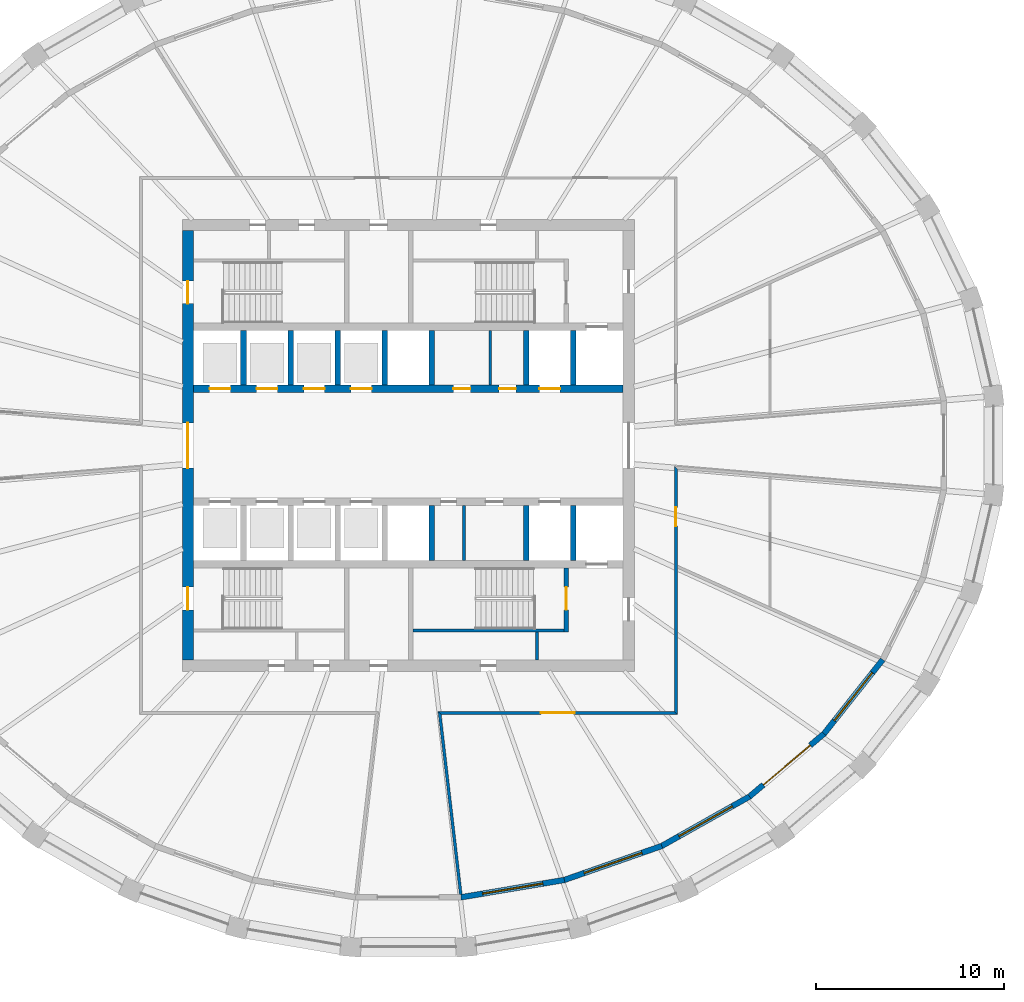
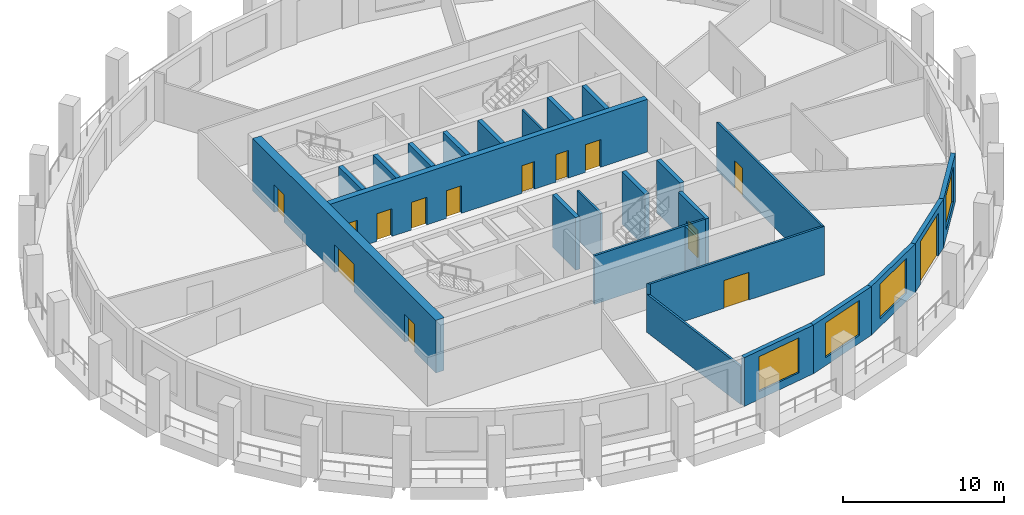
# One storey, part 4 of 10: 25 walls, 14 doors, 4 windows, 18 openings.
"""IFC4 building model written with IfcOpenShell, lengths in metres."""

from ifc_helpers import new_model, si_unit, direction, frame, frame_2d, origin, place, context, subcontext, project, spatial, polyline, rectangle, outline, extrude, material, layer, layer_set, type_object, element, fill, save


model = new_model("IFC4")

# Units and contexts
model_context = context("Model", 3, precision=1e-05, world=origin(), true_north=direction((0.0, 1.0)))
body_context = subcontext(model_context, "Body", "Model", "MODEL_VIEW")
ifc_project = project(units=[si_unit("LENGTHUNIT", "METRE"), si_unit("AREAUNIT", "SQUARE_METRE"), si_unit("VOLUMEUNIT", "CUBIC_METRE"), si_unit("PLANEANGLEUNIT", "RADIAN"), si_unit("MASSUNIT", "GRAM", prefix="KILO")], contexts=[model_context])

# Site, building, storey
site_placement = place(None, origin())
site = spatial("IfcSite", under=ifc_project, at=site_placement, CompositionType="ELEMENT")
building_placement = place(site_placement, origin())
building = spatial("IfcBuilding", under=site, at=building_placement, Name="Halqa Exchange Tower", CompositionType="ELEMENT")
storey_placement = place(building_placement, frame((0.0, 0.0, 238.89990234375)))
storey = spatial("IfcBuildingStorey", under=building, at=storey_placement, Name="L55", CompositionType="ELEMENT", Elevation=238.89990234375)

# Wall
ifc_material_1 = material(Name="Fire-rated gypsum board")
ifc_layer_1 = layer(ifc_material_1, 0.14990234375)
ifc_layer_set_1 = layer_set([ifc_layer_1], Name="Fire-rated gypsum board")
wall_type_1 = type_object("IfcWallType", Name="Fire partition EI 60 150", PredefinedType="PARTITIONING", material=ifc_layer_set_1)
wall_1_placement = place(storey_placement, frame((1.650146484375, -14.1162109375, 0.0), z_axis=(0.0, 0.0, 1.0), x_axis=(0.115927481877, -0.993257680034, 0.0)))
element("IfcWall", 1, at=wall_1_placement, inside=storey, type_object=wall_type_1, Name="L55-PWL-009", PredefinedType="PARTITIONING", context=body_context, shape_type="SweptSolid", body=[
    extrude(outline(polyline([(0.0, -0.074951171875), (1.95556640625, -0.074951171875), (3.9111328125, -0.074951171875), (5.86669921875, -0.074951171875), (7.822021484375, -0.074951171875), (9.777587890625, -0.074951171875), (9.7822265625, -0.035400390625), (9.7822265625, 0.074951171875), (7.859375, 0.074951171875), (5.936767578125, 0.074951171875), (4.013916015625, 0.074951171875), (2.09130859375, 0.074951171875), (0.16845703125, 0.074951171875), (0.08447265625, 0.0), (0.0, -0.074951171875)])), origin(), (0.0, 0.0, 1.0), 2.897216796875),
])

# Wall, opening, door
wall_2_placement = place(storey_placement, frame((14.27490234375, -14.199951171875, 0.0), z_axis=(0.0, 0.0, 1.0), x_axis=(-1.0, 0.0, 0.0)))
wall_2 = element("IfcWall", 2, at=wall_2_placement, inside=storey, type_object=wall_type_1, Name="L55-PWL-012", PredefinedType="PARTITIONING", context=body_context, shape_type="SweptSolid", body=[
    extrude(outline(polyline([(0.14990234375, -0.074951171875), (1.942626953125, -0.074951171875), (3.7353515625, -0.074951171875), (5.528076171875, -0.074951171875), (7.32080078125, -0.074951171875), (9.11376953125, -0.074951171875), (10.906494140625, -0.074951171875), (12.69921875, -0.074951171875), (12.53076171875, 0.074951171875), (10.74072265625, 0.074951171875), (8.950439453125, 0.074951171875), (7.160400390625, 0.074951171875), (5.370361328125, 0.074951171875), (3.580322265625, 0.074951171875), (1.7900390625, 0.074951171875), (0.0, 0.074951171875), (0.14990234375, -0.074951171875)])), origin(), (0.0, 0.0, 1.0), 3.7001953125),
])
opening_1_placement = place(wall_2_placement, frame((5.445068359375, 0.0, 0.0)))
opening_1 = element("IfcOpeningElement", 3, at=opening_1_placement, cuts=wall_2, Name="Opening 17-02", PredefinedType="OPENING", context=body_context, shape_type="SweptSolid", body=[
    extrude(rectangle(XDim=1.800048828125, YDim=2.10009765625, at=frame_2d((0.89990234375, 1.050048828125))), frame((0.0, 0.0869140625, 0.0), z_axis=(0.0, -1.0, 0.0), x_axis=(1.0, 0.0, 0.0)), (0.0, 0.0, 1.0), 0.173828125),
])
ifc_material_2 = material(Name="Steel fire door leaf", Category="steel")
door_type_1 = type_object("IfcDoorType", Name="Fire door FD30S double 1800 x 2100", OperationType="DOUBLE_DOOR_SINGLE_SWING", PredefinedType="DOOR", material=ifc_material_2)
door_1_placement = place(opening_1_placement, origin())
door_1 = element("IfcDoor", 4, at=door_1_placement, inside=storey, type_object=door_type_1, Name="L55-IDR-002", OperationType="DOUBLE_DOOR_SINGLE_SWING", OverallHeight=2.10009765625, OverallWidth=1.800048828125, PredefinedType="DOOR", context=body_context, shape_type="SweptSolid", body=[
    extrude(rectangle(XDim=1.800048828125, YDim=2.10009765625, at=frame_2d((0.89990234375, 1.050048828125))), frame((0.0, 0.02490234375, 0.0), z_axis=(0.0, -1.0, 0.0), x_axis=(1.0, 0.0, 0.0)), (0.0, 0.0, 1.0), 0.050048828125),
])
fill(opening_1, door_1)

wall_3_placement = place(storey_placement, frame((14.199951171875, -14.27490234375, 0.0), z_axis=(0.0, 0.0, 1.0), x_axis=(0.0, 1.0, 0.0)))
wall_3 = element("IfcWall", 5, at=wall_3_placement, inside=storey, type_object=wall_type_1, Name="L55-PWL-013", PredefinedType="PARTITIONING", context=body_context, shape_type="SweptSolid", body=[
    extrude(outline(polyline([(0.0, -0.074951171875), (1.859130859375, -0.074951171875), (3.71826171875, -0.074951171875), (5.5771484375, -0.074951171875), (7.436279296875, -0.074951171875), (9.29541015625, -0.074951171875), (11.154541015625, -0.074951171875), (13.013427734375, -0.074951171875), (13.17626953125, 0.074951171875), (11.3154296875, 0.074951171875), (9.45458984375, 0.074951171875), (7.593505859375, 0.074951171875), (5.732666015625, 0.074951171875), (3.871826171875, 0.074951171875), (2.0107421875, 0.074951171875), (0.14990234375, 0.074951171875), (0.0, -0.074951171875)])), origin(), (0.0, 0.0, 1.0), 3.7001953125),
])
opening_2_placement = place(wall_3_placement, frame((9.985107421875, 0.0, 0.0)))
opening_2 = element("IfcOpeningElement", 6, at=opening_2_placement, cuts=wall_3, Name="Opening 17-03", PredefinedType="OPENING", context=body_context, shape_type="SweptSolid", body=[
    extrude(rectangle(XDim=1.0, YDim=2.10009765625, at=frame_2d((0.5, 1.050048828125))), frame((0.0, 0.0869140625, 0.0), z_axis=(0.0, -1.0, 0.0), x_axis=(1.0, 0.0, 0.0)), (0.0, 0.0, 1.0), 0.173828125),
])
door_type_2 = type_object("IfcDoorType", Name="Fire door FD30S 1000 x 2100", OperationType="SINGLE_SWING_LEFT", PredefinedType="DOOR", material=ifc_material_2)
door_2_placement = place(opening_2_placement, frame((1.0, 0.0, 0.0), z_axis=(0.0, 0.0, 1.0), x_axis=(-1.0, 0.0, 0.0)))
door_2 = element("IfcDoor", 7, at=door_2_placement, inside=storey, type_object=door_type_2, Name="L55-IDR-003", OperationType="SINGLE_SWING_RIGHT", OverallHeight=2.10009765625, OverallWidth=1.0, PredefinedType="DOOR", context=body_context, shape_type="SweptSolid", body=[
    extrude(rectangle(XDim=1.0, YDim=2.10009765625, at=frame_2d((0.5, 1.050048828125))), frame((0.0, 0.02490234375, 0.0), z_axis=(0.0, -1.0, 0.0), x_axis=(1.0, 0.0, 0.0)), (0.0, 0.0, 1.0), 0.050048828125),
])
fill(opening_2, door_2)

# Walls
ifc_material_3 = material(Name="Gypsum board")
ifc_layer_2 = layer(ifc_material_3, 0.14990234375)
ifc_layer_set_2 = layer_set([ifc_layer_2], Name="Gypsum board")
wall_type_2 = type_object("IfcWallType", Name="Penthouse riser wall 150 gypsum", PredefinedType="PARTITIONING", material=ifc_layer_set_2)
wall_4_placement = place(storey_placement, frame((6.824951171875, -11.39990234375, 0.0), z_axis=(0.0, 0.0, 1.0), x_axis=(0.0, 1.0, 0.0)))
element("IfcWall", 8, at=wall_4_placement, inside=storey, type_object=wall_type_2, Name="Firefighting lobby west wall S", PredefinedType="PARTITIONING", context=body_context, shape_type="SweptSolid", body=[
    extrude(rectangle(XDim=1.5, YDim=0.14990234375, at=frame_2d((0.75, 0.0))), origin(), (0.0, 0.0, 1.0), 3.7001953125),
])
for number, where, z_axis, x_axis, name in (
    (9, (4.35009765625, 3.199951171875, 0.0), (0.0, 0.0, 1.0), (0.0, 1.0, 0.0), "Freed bay partition NE4.350"),
    (10, (2.949951171875, -6.10009765625, 0.0), (0.0, 0.0, 1.0), (0.0, 1.0, 0.0), "Freed bay partition SE2.950"),
):
    element("IfcWall", number, at=place(storey_placement, frame(where, z_axis=z_axis, x_axis=x_axis)), inside=storey, type_object=wall_type_2, Name=name, PredefinedType="PARTITIONING", context=body_context, shape_type="SweptSolid", body=[
        extrude(rectangle(XDim=2.900146484375, YDim=0.14990234375, at=frame_2d((1.4501953125, 0.0))), origin(), (0.0, 0.0, 1.0), 3.7001953125),
    ])
ifc_material_4 = material(Name="Concrete C60/75", Category="concrete")
ifc_layer_3 = layer(ifc_material_4, 0.300048828125)
ifc_layer_set_3 = layer_set([ifc_layer_3], Name="Concrete C60/75")
wall_type_3 = type_object("IfcWallType", Name="RC core wall 300", PredefinedType="SHEAR", material=ifc_layer_set_3)
for number, where, z_axis, x_axis, name in (
    (11, (-8.75, 3.199951171875, 0.0), (0.0, 0.0, 1.0), (0.0, 1.0, 0.0), "Shaft divider N1"),
    (12, (-6.25, 3.199951171875, 0.0), (0.0, 0.0, 1.0), (0.0, 1.0, 0.0), "Shaft divider N2"),
    (13, (-3.75, 3.199951171875, 0.0), (0.0, 0.0, 1.0), (0.0, 1.0, 0.0), "Shaft divider N3"),
    (14, (-1.25, 3.199951171875, 0.0), (0.0, 0.0, 1.0), (0.0, 1.0, 0.0), "Shaft divider N4"),
    (15, (1.25, 3.199951171875, 0.0), (0.0, 0.0, 1.0), (0.0, 1.0, 0.0), "Shaft divider N5"),
    (16, (6.25, 3.199951171875, 0.0), (0.0, 0.0, 1.0), (0.0, 1.0, 0.0), "Shaft divider N7"),
    (17, (8.75, 3.199951171875, 0.0), (0.0, 0.0, 1.0), (0.0, 1.0, 0.0), "Shaft divider N8"),
    (18, (1.25, -6.10009765625, 0.0), (0.0, 0.0, 1.0), (0.0, 1.0, 0.0), "Shaft divider S5"),
    (19, (6.25, -6.10009765625, 0.0), (0.0, 0.0, 1.0), (0.0, 1.0, 0.0), "Shaft divider S7"),
    (20, (8.75, -6.10009765625, 0.0), (0.0, 0.0, 1.0), (0.0, 1.0, 0.0), "Shaft divider S8"),
):
    element("IfcWall", number, at=place(storey_placement, frame(where, z_axis=z_axis, x_axis=x_axis)), inside=storey, type_object=wall_type_3, Name=name, PredefinedType="SHEAR", context=body_context, shape_type="SweptSolid", body=[
        extrude(rectangle(XDim=2.900146484375, YDim=0.300048828125, at=frame_2d((1.4501953125, 0.0))), origin(), (0.0, 0.0, 1.0), 4.0),
    ])

# Wall, openings, doors
ifc_material_5 = material(Name="Concrete C70/85", Category="concrete")
ifc_layer_4 = layer(ifc_material_5, 0.39990234375)
ifc_layer_set_4 = layer_set([ifc_layer_4], Name="Concrete C70/85")
wall_type_4 = type_object("IfcWallType", Name="RC core wall 400 C70/85", PredefinedType="SHEAR", material=ifc_layer_set_4)
wall_5_placement = place(storey_placement, frame((-11.39990234375, 3.0, 0.0), z_axis=(0.0, 0.0, 1.0), x_axis=(1.0, 0.0, 0.0)))
wall_5 = element("IfcWall", 21, at=wall_5_placement, inside=storey, type_object=wall_type_4, Name="Lift row front wall N", PredefinedType="SHEAR", context=body_context, shape_type="SweptSolid", body=[
    extrude(rectangle(XDim=22.7998046875, YDim=0.39990234375, at=frame_2d((11.39990234375, 0.0))), origin(), (0.0, 0.0, 1.0), 4.0),
])
opening_3_placement = place(wall_5_placement, frame((0.85009765625, 0.0, 0.0)))
opening_3 = element("IfcOpeningElement", 22, at=opening_3_placement, cuts=wall_5, Name="Opening LD-HR1-T17", PredefinedType="OPENING", context=body_context, shape_type="SweptSolid", body=[
    extrude(rectangle(XDim=1.10009765625, YDim=2.10009765625, at=frame_2d((0.550048828125, 1.050048828125))), frame((0.0, 0.2119140625, 0.0), z_axis=(0.0, -1.0, 0.0), x_axis=(1.0, 0.0, 0.0)), (0.0, 0.0, 1.0), 0.423828125),
])
opening_4_placement = place(wall_5_placement, frame((3.35009765625, 0.0, 0.0)))
opening_4 = element("IfcOpeningElement", 23, at=opening_4_placement, cuts=wall_5, Name="Opening LD-HR2-T17", PredefinedType="OPENING", context=body_context, shape_type="SweptSolid", body=[
    extrude(rectangle(XDim=1.10009765625, YDim=2.10009765625, at=frame_2d((0.550048828125, 1.050048828125))), frame((0.0, 0.2119140625, 0.0), z_axis=(0.0, -1.0, 0.0), x_axis=(1.0, 0.0, 0.0)), (0.0, 0.0, 1.0), 0.423828125),
])
opening_5_placement = place(wall_5_placement, frame((5.85009765625, 0.0, 0.0)))
opening_5 = element("IfcOpeningElement", 24, at=opening_5_placement, cuts=wall_5, Name="Opening LD-MR1-T17", PredefinedType="OPENING", context=body_context, shape_type="SweptSolid", body=[
    extrude(rectangle(XDim=1.10009765625, YDim=2.10009765625, at=frame_2d((0.550048828125, 1.050048828125))), frame((0.0, 0.2119140625, 0.0), z_axis=(0.0, -1.0, 0.0), x_axis=(1.0, 0.0, 0.0)), (0.0, 0.0, 1.0), 0.423828125),
])
opening_6_placement = place(wall_5_placement, frame((8.35009765625, 0.0, 0.0)))
opening_6 = element("IfcOpeningElement", 25, at=opening_6_placement, cuts=wall_5, Name="Opening LD-MR2-T17", PredefinedType="OPENING", context=body_context, shape_type="SweptSolid", body=[
    extrude(rectangle(XDim=1.10009765625, YDim=2.10009765625, at=frame_2d((0.550048828125, 1.050048828125))), frame((0.0, 0.2119140625, 0.0), z_axis=(0.0, -1.0, 0.0), x_axis=(1.0, 0.0, 0.0)), (0.0, 0.0, 1.0), 0.423828125),
])
opening_7_placement = place(wall_5_placement, frame((18.35009765625, 0.0, 0.0)))
opening_7 = element("IfcOpeningElement", 26, at=opening_7_placement, cuts=wall_5, Name="Opening LD-SV1-T17", PredefinedType="OPENING", context=body_context, shape_type="SweptSolid", body=[
    extrude(rectangle(XDim=1.10009765625, YDim=2.10009765625, at=frame_2d((0.550048828125, 1.050048828125))), frame((0.0, 0.2119140625, 0.0), z_axis=(0.0, -1.0, 0.0), x_axis=(1.0, 0.0, 0.0)), (0.0, 0.0, 1.0), 0.423828125),
])
opening_8_placement = place(wall_5_placement, frame((13.78759765625, 0.0, 0.0)))
opening_8 = element("IfcOpeningElement", 27, at=opening_8_placement, cuts=wall_5, Name="Opening T17-C29", PredefinedType="OPENING", context=body_context, shape_type="SweptSolid", body=[
    extrude(rectangle(XDim=0.89990234375, YDim=2.10009765625, at=frame_2d((0.449951171875, 1.050048828125))), frame((0.0, 0.2119140625, 0.0), z_axis=(0.0, -1.0, 0.0), x_axis=(1.0, 0.0, 0.0)), (0.0, 0.0, 1.0), 0.423828125),
])
opening_9_placement = place(wall_5_placement, frame((16.21240234375, 0.0, 0.0)))
opening_9 = element("IfcOpeningElement", 28, at=opening_9_placement, cuts=wall_5, Name="Opening T17-C30", PredefinedType="OPENING", context=body_context, shape_type="SweptSolid", body=[
    extrude(rectangle(XDim=0.89990234375, YDim=2.10009765625, at=frame_2d((0.449951171875, 1.050048828125))), frame((0.0, 0.2119140625, 0.0), z_axis=(0.0, -1.0, 0.0), x_axis=(1.0, 0.0, 0.0)), (0.0, 0.0, 1.0), 0.423828125),
])
ifc_material_6 = material(Name="Timber fire door leaf", Category="wood")
door_type_3 = type_object("IfcDoorType", Name="Core room door FD30 900 x 2100", OperationType="SINGLE_SWING_LEFT", PredefinedType="DOOR", material=ifc_material_6)
door_3_placement = place(opening_8_placement, origin())
door_3 = element("IfcDoor", 29, at=door_3_placement, inside=storey, type_object=door_type_3, Name="Core room door", OperationType="SINGLE_SWING_LEFT", OverallHeight=2.10009765625, OverallWidth=0.89990234375, PredefinedType="DOOR", context=body_context, shape_type="SweptSolid", body=[
    extrude(rectangle(XDim=0.89990234375, YDim=2.10009765625, at=frame_2d((0.449951171875, 1.050048828125))), frame((0.0, 0.02490234375, 0.0), z_axis=(0.0, -1.0, 0.0), x_axis=(1.0, 0.0, 0.0)), (0.0, 0.0, 1.0), 0.050048828125),
])
fill(opening_8, door_3)
door_4_placement = place(opening_9_placement, origin())
door_4 = element("IfcDoor", 30, at=door_4_placement, inside=storey, type_object=door_type_3, Name="Core room door", OperationType="SINGLE_SWING_RIGHT", OverallHeight=2.10009765625, OverallWidth=0.89990234375, PredefinedType="DOOR", context=body_context, shape_type="SweptSolid", body=[
    extrude(rectangle(XDim=0.89990234375, YDim=2.10009765625, at=frame_2d((0.449951171875, 1.050048828125))), frame((0.0, 0.02490234375, 0.0), z_axis=(0.0, -1.0, 0.0), x_axis=(1.0, 0.0, 0.0)), (0.0, 0.0, 1.0), 0.050048828125),
])
fill(opening_9, door_4)
ifc_material_7 = material(Name="Stainless steel", Category="steel")
door_type_4 = type_object("IfcDoorType", Name="Lift landing door 1100 x 2100", OperationType="SLIDING_TO_LEFT", PredefinedType="DOOR", material=ifc_material_7)
door_5_placement = place(opening_3_placement, origin())
door_5 = element("IfcDoor", 31, at=door_5_placement, inside=storey, type_object=door_type_4, Name="Lift landing door HR1", OperationType="SLIDING_TO_LEFT", OverallHeight=2.10009765625, OverallWidth=1.10009765625, PredefinedType="DOOR", context=body_context, shape_type="SweptSolid", body=[
    extrude(rectangle(XDim=1.10009765625, YDim=2.10009765625, at=frame_2d((0.550048828125, 1.050048828125))), frame((0.0, 0.02490234375, 0.0), z_axis=(0.0, -1.0, 0.0), x_axis=(1.0, 0.0, 0.0)), (0.0, 0.0, 1.0), 0.050048828125),
])
fill(opening_3, door_5)
door_6_placement = place(opening_4_placement, origin())
door_6 = element("IfcDoor", 32, at=door_6_placement, inside=storey, type_object=door_type_4, Name="Lift landing door HR2", OperationType="SLIDING_TO_LEFT", OverallHeight=2.10009765625, OverallWidth=1.10009765625, PredefinedType="DOOR", context=body_context, shape_type="SweptSolid", body=[
    extrude(rectangle(XDim=1.10009765625, YDim=2.10009765625, at=frame_2d((0.550048828125, 1.050048828125))), frame((0.0, 0.02490234375, 0.0), z_axis=(0.0, -1.0, 0.0), x_axis=(1.0, 0.0, 0.0)), (0.0, 0.0, 1.0), 0.050048828125),
])
fill(opening_4, door_6)
door_7_placement = place(opening_5_placement, origin())
door_7 = element("IfcDoor", 33, at=door_7_placement, inside=storey, type_object=door_type_4, Name="Lift landing door MR1", OperationType="SLIDING_TO_LEFT", OverallHeight=2.10009765625, OverallWidth=1.10009765625, PredefinedType="DOOR", context=body_context, shape_type="SweptSolid", body=[
    extrude(rectangle(XDim=1.10009765625, YDim=2.10009765625, at=frame_2d((0.550048828125, 1.050048828125))), frame((0.0, 0.02490234375, 0.0), z_axis=(0.0, -1.0, 0.0), x_axis=(1.0, 0.0, 0.0)), (0.0, 0.0, 1.0), 0.050048828125),
])
fill(opening_5, door_7)
door_8_placement = place(opening_6_placement, origin())
door_8 = element("IfcDoor", 34, at=door_8_placement, inside=storey, type_object=door_type_4, Name="Lift landing door MR2", OperationType="SLIDING_TO_LEFT", OverallHeight=2.10009765625, OverallWidth=1.10009765625, PredefinedType="DOOR", context=body_context, shape_type="SweptSolid", body=[
    extrude(rectangle(XDim=1.10009765625, YDim=2.10009765625, at=frame_2d((0.550048828125, 1.050048828125))), frame((0.0, 0.02490234375, 0.0), z_axis=(0.0, -1.0, 0.0), x_axis=(1.0, 0.0, 0.0)), (0.0, 0.0, 1.0), 0.050048828125),
])
fill(opening_6, door_8)
door_9_placement = place(opening_7_placement, origin())
door_9 = element("IfcDoor", 35, at=door_9_placement, inside=storey, type_object=door_type_4, Name="Lift landing door SV1", OperationType="SLIDING_TO_LEFT", OverallHeight=2.10009765625, OverallWidth=1.10009765625, PredefinedType="DOOR", context=body_context, shape_type="SweptSolid", body=[
    extrude(rectangle(XDim=1.10009765625, YDim=2.10009765625, at=frame_2d((0.550048828125, 1.050048828125))), frame((0.0, 0.02490234375, 0.0), z_axis=(0.0, -1.0, 0.0), x_axis=(1.0, 0.0, 0.0)), (0.0, 0.0, 1.0), 0.050048828125),
])
fill(opening_7, door_9)

ifc_layer_5 = layer(ifc_material_5, 0.60009765625)
ifc_layer_set_5 = layer_set([ifc_layer_5], Name="Concrete C70/85")
wall_type_5 = type_object("IfcWallType", Name="RC core wall 600 C70/85", PredefinedType="SHEAR", material=ifc_layer_set_5)
wall_6_placement = place(storey_placement, frame((-11.699951171875, -11.39990234375, 0.0), z_axis=(0.0, 0.0, 1.0), x_axis=(0.0, 1.0, 0.0)))
wall_6 = element("IfcWall", 36, at=wall_6_placement, inside=storey, type_object=wall_type_5, Name="Core wall west", PredefinedType="SHEAR", context=body_context, shape_type="SweptSolid", body=[
    extrude(rectangle(XDim=22.7998046875, YDim=0.60009765625, at=frame_2d((11.39990234375, 0.0))), origin(), (0.0, 0.0, 1.0), 4.0),
])
opening_10_placement = place(wall_6_placement, frame((10.199951171875, 0.0, 0.0)))
opening_10 = element("IfcOpeningElement", 37, at=opening_10_placement, cuts=wall_6, Name="Opening T17-C13", PredefinedType="OPENING", context=body_context, shape_type="SweptSolid", body=[
    extrude(rectangle(XDim=2.39990234375, YDim=2.10009765625, at=frame_2d((1.199951171875, 1.050048828125))), frame((0.0, 0.31201171875, 0.0), z_axis=(0.0, -1.0, 0.0), x_axis=(1.0, 0.0, 0.0)), (0.0, 0.0, 1.0), 0.6240234375),
])
opening_11_placement = place(wall_6_placement, frame((18.925048828125, 0.0, 0.0)))
opening_11 = element("IfcOpeningElement", 38, at=opening_11_placement, cuts=wall_6, Name="Opening T17-C15", PredefinedType="OPENING", context=body_context, shape_type="SweptSolid", body=[
    extrude(rectangle(XDim=1.199951171875, YDim=2.10009765625, at=frame_2d((0.60009765625, 1.050048828125))), frame((0.0, 0.31201171875, 0.0), z_axis=(0.0, -1.0, 0.0), x_axis=(1.0, 0.0, 0.0)), (0.0, 0.0, 1.0), 0.6240234375),
])
opening_12_placement = place(wall_6_placement, frame((2.675048828125, 0.0, 0.0)))
opening_12 = element("IfcOpeningElement", 39, at=opening_12_placement, cuts=wall_6, Name="Opening T17-C17", PredefinedType="OPENING", context=body_context, shape_type="SweptSolid", body=[
    extrude(rectangle(XDim=1.199951171875, YDim=2.10009765625, at=frame_2d((0.60009765625, 1.050048828125))), frame((0.0, 0.31201171875, 0.0), z_axis=(0.0, -1.0, 0.0), x_axis=(1.0, 0.0, 0.0)), (0.0, 0.0, 1.0), 0.6240234375),
])
door_type_5 = type_object("IfcDoorType", Name="Lobby double door FD60 2400 x 2100", OperationType="DOUBLE_DOOR_SINGLE_SWING", PredefinedType="DOOR", material=ifc_material_2)
door_10_placement = place(opening_10_placement, frame((2.39990234375, 0.0, 0.0), z_axis=(0.0, 0.0, 1.0), x_axis=(-1.0, 0.0, 0.0)))
door_10 = element("IfcDoor", 40, at=door_10_placement, inside=storey, type_object=door_type_5, Name="Lift lobby double door", OperationType="DOUBLE_DOOR_SINGLE_SWING", OverallHeight=2.10009765625, OverallWidth=2.39990234375, PredefinedType="DOOR", context=body_context, shape_type="SweptSolid", body=[
    extrude(rectangle(XDim=2.39990234375, YDim=2.10009765625, at=frame_2d((1.199951171875, 1.050048828125))), frame((0.0, 0.02490234375, 0.0), z_axis=(0.0, -1.0, 0.0), x_axis=(1.0, 0.0, 0.0)), (0.0, 0.0, 1.0), 0.050048828125),
])
fill(opening_10, door_10)
door_type_6 = type_object("IfcDoorType", Name="Stair door FD90 1200 x 2100", OperationType="SINGLE_SWING_LEFT", PredefinedType="DOOR", material=ifc_material_2)
door_11_placement = place(opening_11_placement, frame((1.199951171875, 0.0, 0.0), z_axis=(0.0, 0.0, 1.0), x_axis=(-1.0, 0.0, 0.0)))
door_11 = element("IfcDoor", 41, at=door_11_placement, inside=storey, type_object=door_type_6, Name="Stair door ST1", OperationType="SINGLE_SWING_RIGHT", OverallHeight=2.10009765625, OverallWidth=1.199951171875, PredefinedType="DOOR", context=body_context, shape_type="SweptSolid", body=[
    extrude(rectangle(XDim=1.199951171875, YDim=2.10009765625, at=frame_2d((0.60009765625, 1.050048828125))), frame((0.0, 0.02490234375, 0.0), z_axis=(0.0, -1.0, 0.0), x_axis=(1.0, 0.0, 0.0)), (0.0, 0.0, 1.0), 0.050048828125),
])
fill(opening_11, door_11)
door_12_placement = place(opening_12_placement, frame((1.199951171875, 0.0, 0.0), z_axis=(0.0, 0.0, 1.0), x_axis=(-1.0, 0.0, 0.0)))
door_12 = element("IfcDoor", 42, at=door_12_placement, inside=storey, type_object=door_type_6, Name="Stair door ST3", OperationType="SINGLE_SWING_RIGHT", OverallHeight=2.10009765625, OverallWidth=1.199951171875, PredefinedType="DOOR", context=body_context, shape_type="SweptSolid", body=[
    extrude(rectangle(XDim=1.199951171875, YDim=2.10009765625, at=frame_2d((0.60009765625, 1.050048828125))), frame((0.0, 0.02490234375, 0.0), z_axis=(0.0, -1.0, 0.0), x_axis=(1.0, 0.0, 0.0)), (0.0, 0.0, 1.0), 0.050048828125),
])
fill(opening_12, door_12)

# Wall
ifc_material_8 = material(Name="Concrete C30/37", Category="concrete")
ifc_layer_6 = layer(ifc_material_8, 0.14990234375)
ifc_layer_set_6 = layer_set([ifc_layer_6], Name="Concrete C30/37")
wall_type_6 = type_object("IfcWallType", Name="RC stair wall 150 C30/37", PredefinedType="SHEAR", material=ifc_layer_set_6)
wall_7_placement = place(storey_placement, frame((0.25, -9.824951171875, 0.0), z_axis=(0.0, 0.0, 1.0), x_axis=(1.0, 0.0, 0.0)))
element("IfcWall", 43, at=wall_7_placement, inside=storey, type_object=wall_type_6, Name="Stair ST2 north wall S", PredefinedType="SHEAR", context=body_context, shape_type="SweptSolid", body=[
    extrude(rectangle(XDim=8.0, YDim=0.14990234375, at=frame_2d((4.0, 0.0))), origin(), (0.0, 0.0, 1.0), 3.7001953125),
])

# Wall, opening, door
ifc_layer_7 = layer(ifc_material_8, 0.25)
ifc_layer_set_7 = layer_set([ifc_layer_7], Name="Concrete C30/37")
wall_type_7 = type_object("IfcWallType", Name="RC stair wall 250 C30/37", PredefinedType="SHEAR", material=ifc_layer_set_7)
wall_8_placement = place(storey_placement, frame((8.375, -9.89990234375, 0.0), z_axis=(0.0, 0.0, 1.0), x_axis=(0.0, 1.0, 0.0)))
wall_8 = element("IfcWall", 44, at=wall_8_placement, inside=storey, type_object=wall_type_7, Name="Stair ST2 east wall S", PredefinedType="SHEAR", context=body_context, shape_type="SweptSolid", body=[
    extrude(rectangle(XDim=3.39990234375, YDim=0.25, at=frame_2d((1.699951171875, 0.0))), origin(), (0.0, 0.0, 1.0), 3.7001953125),
])
opening_13_placement = place(wall_8_placement, frame((1.175048828125, 0.0, 0.0)))
opening_13 = element("IfcOpeningElement", 45, at=opening_13_placement, cuts=wall_8, Name="Opening T17-C18", PredefinedType="OPENING", context=body_context, shape_type="SweptSolid", body=[
    extrude(rectangle(XDim=1.199951171875, YDim=2.10009765625, at=frame_2d((0.60009765625, 1.050048828125))), frame((0.0, 0.136962890625, 0.0), z_axis=(0.0, -1.0, 0.0), x_axis=(1.0, 0.0, 0.0)), (0.0, 0.0, 1.0), 0.27392578125),
])
door_13_placement = place(opening_13_placement, origin())
door_13 = element("IfcDoor", 46, at=door_13_placement, inside=storey, type_object=door_type_6, Name="Stair door ST4", OperationType="SINGLE_SWING_RIGHT", OverallHeight=2.10009765625, OverallWidth=1.199951171875, PredefinedType="DOOR", context=body_context, shape_type="SweptSolid", body=[
    extrude(rectangle(XDim=1.199951171875, YDim=2.10009765625, at=frame_2d((0.60009765625, 1.050048828125))), frame((0.0, 0.02490234375, 0.0), z_axis=(0.0, -1.0, 0.0), x_axis=(1.0, 0.0, 0.0)), (0.0, 0.0, 1.0), 0.050048828125),
])
fill(opening_13, door_13)

# Wall, opening, window
ifc_material_9 = material(Name="Limestone cladding", Category="masonry")
ifc_layer_8 = layer(ifc_material_9, 0.0400390625)
ifc_material_10 = material(Name="Ventilated cavity")
ifc_layer_9 = layer(ifc_material_10, 0.030029296875, ventilated=True)
ifc_material_11 = material(Name="Mineral wool insulation")
ifc_layer_10 = layer(ifc_material_11, 0.10009765625)
ifc_layer_11 = layer(ifc_material_8, 0.10009765625)
ifc_material_12 = material(Name="Internal plaster")
ifc_layer_12 = layer(ifc_material_12, 0.030029296875)
ifc_layer_set_8 = layer_set([ifc_layer_8, ifc_layer_9, ifc_layer_10, ifc_layer_11, ifc_layer_12], Name="Stone-faced insulated wall 300")
wall_type_8 = type_object("IfcWallType", Name="Stone-faced insulated wall 300", PredefinedType="STANDARD", material=ifc_layer_set_8)
wall_9_placement = place(storey_placement, frame((2.797119140625, -23.986572265625, 0.0), z_axis=(0.0, 0.0, 1.0), x_axis=(0.98622977737, 0.16538085206, 0.0)))
wall_9 = element("IfcWall", 47, at=wall_9_placement, inside=storey, type_object=wall_type_8, Name="Glass-line wall 25", PredefinedType="STANDARD", context=body_context, shape_type="SweptSolid", body=[
    extrude(outline(polyline([(-0.012451171875, -0.14990234375), (5.57666015625, -0.14990234375), (5.55126953125, 0.14990234375), (0.012451171875, 0.14990234375), (-0.012451171875, -0.14990234375)])), origin(), (0.0, 0.0, 1.0), 3.7001953125),
])
opening_14_placement = place(wall_9_placement, frame((1.156982421875, 0.0, 0.60009765625)))
opening_14 = element("IfcOpeningElement", 48, at=opening_14_placement, cuts=wall_9, Name="Opening W-F3-25", PredefinedType="OPENING", context=body_context, shape_type="SweptSolid", body=[
    extrude(rectangle(XDim=3.25, YDim=2.64990234375, at=frame_2d((1.625, 1.324951171875))), frame((0.0, 0.162109375, 0.0), z_axis=(0.0, -1.0, 0.0), x_axis=(1.0, 0.0, 0.0)), (0.0, 0.0, 1.0), 0.323974609375),
])
ifc_material_13 = material(Name="Clear low-emissivity glass in aluminium frame", Category="aluminium")
window_type = type_object("IfcWindowType", Name="Fixed clear glazed window 3250 x 2650", PartitioningType="TRIPLE_PANEL_VERTICAL", PredefinedType="WINDOW", material=ifc_material_13)
window_1_placement = place(opening_14_placement, origin())
window_1 = element("IfcWindow", 49, at=window_1_placement, inside=storey, type_object=window_type, Name="Window 3", OverallHeight=2.64990234375, OverallWidth=3.25, PartitioningType="TRIPLE_PANEL_VERTICAL", PredefinedType="WINDOW", context=body_context, shape_type="SweptSolid", body=[
    extrude(rectangle(XDim=3.25, YDim=2.64990234375, at=frame_2d((1.625, 1.324951171875))), frame((0.0, 0.030029296875, 0.0), z_axis=(0.0, -1.0, 0.0), x_axis=(1.0, 0.0, 0.0)), (0.0, 0.0, 1.0), 0.06005859375),
])
fill(opening_14, window_1)

wall_10_placement = place(storey_placement, frame((8.284423828125, -23.06640625, 0.0), z_axis=(0.0, 0.0, 1.0), x_axis=(0.944093730832, 0.329677156326, 0.0)))
wall_10 = element("IfcWall", 50, at=wall_10_placement, inside=storey, type_object=wall_type_8, Name="Glass-line wall 26", PredefinedType="STANDARD", context=body_context, shape_type="SweptSolid", body=[
    extrude(outline(polyline([(-0.0126953125, -0.14990234375), (5.48974609375, -0.14990234375), (5.462890625, 0.14990234375), (0.0126953125, 0.14990234375), (-0.0126953125, -0.14990234375)])), origin(), (0.0, 0.0, 1.0), 3.7001953125),
])
opening_15_placement = place(wall_10_placement, frame((1.113037109375, 0.0, 0.60009765625)))
opening_15 = element("IfcOpeningElement", 51, at=opening_15_placement, cuts=wall_10, Name="Opening W-F3-26", PredefinedType="OPENING", context=body_context, shape_type="SweptSolid", body=[
    extrude(rectangle(XDim=3.25, YDim=2.64990234375, at=frame_2d((1.625, 1.324951171875))), frame((0.0, 0.162109375, 0.0), z_axis=(0.0, -1.0, 0.0), x_axis=(1.0, 0.0, 0.0)), (0.0, 0.0, 1.0), 0.323974609375),
])
window_2_placement = place(opening_15_placement, origin())
window_2 = element("IfcWindow", 52, at=window_2_placement, inside=storey, type_object=window_type, Name="Window 3", OverallHeight=2.64990234375, OverallWidth=3.25, PartitioningType="TRIPLE_PANEL_VERTICAL", PredefinedType="WINDOW", context=body_context, shape_type="SweptSolid", body=[
    extrude(rectangle(XDim=3.25, YDim=2.64990234375, at=frame_2d((1.625, 1.324951171875))), frame((0.0, 0.030029296875, 0.0), z_axis=(0.0, -1.0, 0.0), x_axis=(1.0, 0.0, 0.0)), (0.0, 0.0, 1.0), 0.06005859375),
])
fill(opening_15, window_2)

wall_11_placement = place(storey_placement, frame((13.45458984375, -21.260986328125, 0.0), z_axis=(0.0, 0.0, 1.0), x_axis=(0.871275151053, 0.490794876865, 0.0)))
wall_11 = element("IfcWall", 53, at=wall_11_placement, inside=storey, type_object=wall_type_8, Name="Glass-line wall 27", PredefinedType="STANDARD", context=body_context, shape_type="SweptSolid", body=[
    extrude(outline(polyline([(-0.013427734375, -0.14990234375), (5.356689453125, -0.14990234375), (5.328369140625, 0.14990234375), (0.013427734375, 0.14990234375), (-0.013427734375, -0.14990234375)])), origin(), (0.0, 0.0, 1.0), 3.7001953125),
])
opening_16_placement = place(wall_11_placement, frame((1.046142578125, 0.0, 0.60009765625)))
opening_16 = element("IfcOpeningElement", 54, at=opening_16_placement, cuts=wall_11, Name="Opening W-F3-27", PredefinedType="OPENING", context=body_context, shape_type="SweptSolid", body=[
    extrude(rectangle(XDim=3.25, YDim=2.64990234375, at=frame_2d((1.625, 1.324951171875))), frame((0.0, 0.162109375, 0.0), z_axis=(0.0, -1.0, 0.0), x_axis=(1.0, 0.0, 0.0)), (0.0, 0.0, 1.0), 0.323974609375),
])
window_3_placement = place(opening_16_placement, origin())
window_3 = element("IfcWindow", 55, at=window_3_placement, inside=storey, type_object=window_type, Name="Window 3", OverallHeight=2.64990234375, OverallWidth=3.25, PartitioningType="TRIPLE_PANEL_VERTICAL", PredefinedType="WINDOW", context=body_context, shape_type="SweptSolid", body=[
    extrude(rectangle(XDim=3.25, YDim=2.64990234375, at=frame_2d((1.625, 1.324951171875))), frame((0.0, 0.030029296875, 0.0), z_axis=(0.0, -1.0, 0.0), x_axis=(1.0, 0.0, 0.0)), (0.0, 0.0, 1.0), 0.06005859375),
])
fill(opening_16, window_3)

# Wall, opening, door
wall_12_placement = place(storey_placement, frame((18.109375, -18.638916015625, 0.0), z_axis=(0.0, 0.0, 1.0), x_axis=(0.764530975429, 0.644586989948, 0.0)))
wall_12 = element("IfcWall", 56, at=wall_12_placement, inside=storey, type_object=wall_type_8, Name="Glass-line wall 28", PredefinedType="STANDARD", context=body_context, shape_type="SweptSolid", body=[
    extrude(outline(polyline([(-0.01416015625, -0.14990234375), (5.1953125, -0.14990234375), (5.1650390625, 0.14990234375), (0.01416015625, 0.14990234375), (-0.01416015625, -0.14990234375)])), origin(), (0.0, 0.0, 1.0), 3.7001953125),
])
opening_17_placement = place(wall_12_placement, frame((0.965087890625, 0.0, 0.0)))
opening_17 = element("IfcOpeningElement", 57, at=opening_17_placement, cuts=wall_12, Name="Opening LG-F3-07", PredefinedType="OPENING", context=body_context, shape_type="SweptSolid", body=[
    extrude(rectangle(XDim=3.25, YDim=3.25, at=frame_2d((1.625, 1.625))), frame((0.0, 0.162109375, 0.0), z_axis=(0.0, -1.0, 0.0), x_axis=(1.0, 0.0, 0.0)), (0.0, 0.0, 1.0), 0.323974609375),
])
door_type_7 = type_object("IfcDoorType", Name="Glazed sliding loggia door 3250 x 3250", OperationType="DOUBLE_DOOR_SLIDING", PredefinedType="DOOR", material=ifc_material_13)
door_14_placement = place(opening_17_placement, origin())
door_14 = element("IfcDoor", 58, at=door_14_placement, inside=storey, type_object=door_type_7, Name="Loggia door 7", OperationType="DOUBLE_DOOR_SLIDING", OverallHeight=3.25, OverallWidth=3.25, PredefinedType="DOOR", context=body_context, shape_type="SweptSolid", body=[
    extrude(rectangle(XDim=3.25, YDim=3.25, at=frame_2d((1.625, 1.625))), frame((0.0, 0.02490234375, 0.0), z_axis=(0.0, -1.0, 0.0), x_axis=(1.0, 0.0, 0.0)), (0.0, 0.0, 1.0), 0.050048828125),
])
fill(opening_17, door_14)

# Wall, opening, window
wall_13_placement = place(storey_placement, frame((22.06982421875, -15.2998046875, 0.0), z_axis=(0.0, 0.0, 1.0), x_axis=(0.621130746167, 0.783706958094, 0.0)))
wall_13 = element("IfcWall", 59, at=wall_13_placement, inside=storey, type_object=wall_type_8, Name="Glass-line wall 29", PredefinedType="STANDARD", context=body_context, shape_type="SweptSolid", body=[
    extrude(outline(polyline([(-0.01513671875, -0.14990234375), (5.02880859375, -0.14990234375), (4.99658203125, 0.14990234375), (0.01513671875, 0.14990234375), (-0.01513671875, -0.14990234375)])), origin(), (0.0, 0.0, 1.0), 3.7001953125),
])
opening_18_placement = place(wall_13_placement, frame((0.88134765625, 0.0, 0.60009765625)))
opening_18 = element("IfcOpeningElement", 60, at=opening_18_placement, cuts=wall_13, Name="Opening W-F3-29", PredefinedType="OPENING", context=body_context, shape_type="SweptSolid", body=[
    extrude(rectangle(XDim=3.25, YDim=2.64990234375, at=frame_2d((1.625, 1.324951171875))), frame((0.0, 0.162109375, 0.0), z_axis=(0.0, -1.0, 0.0), x_axis=(1.0, 0.0, 0.0)), (0.0, 0.0, 1.0), 0.323974609375),
])
window_4_placement = place(opening_18_placement, origin())
window_4 = element("IfcWindow", 61, at=window_4_placement, inside=storey, type_object=window_type, Name="Window 3", OverallHeight=2.64990234375, OverallWidth=3.25, PartitioningType="TRIPLE_PANEL_VERTICAL", PredefinedType="WINDOW", context=body_context, shape_type="SweptSolid", body=[
    extrude(rectangle(XDim=3.25, YDim=2.64990234375, at=frame_2d((1.625, 1.324951171875))), frame((0.0, 0.030029296875, 0.0), z_axis=(0.0, -1.0, 0.0), x_axis=(1.0, 0.0, 0.0)), (0.0, 0.0, 1.0), 0.06005859375),
])
fill(opening_18, window_4)

save(model, "model.ifc")
